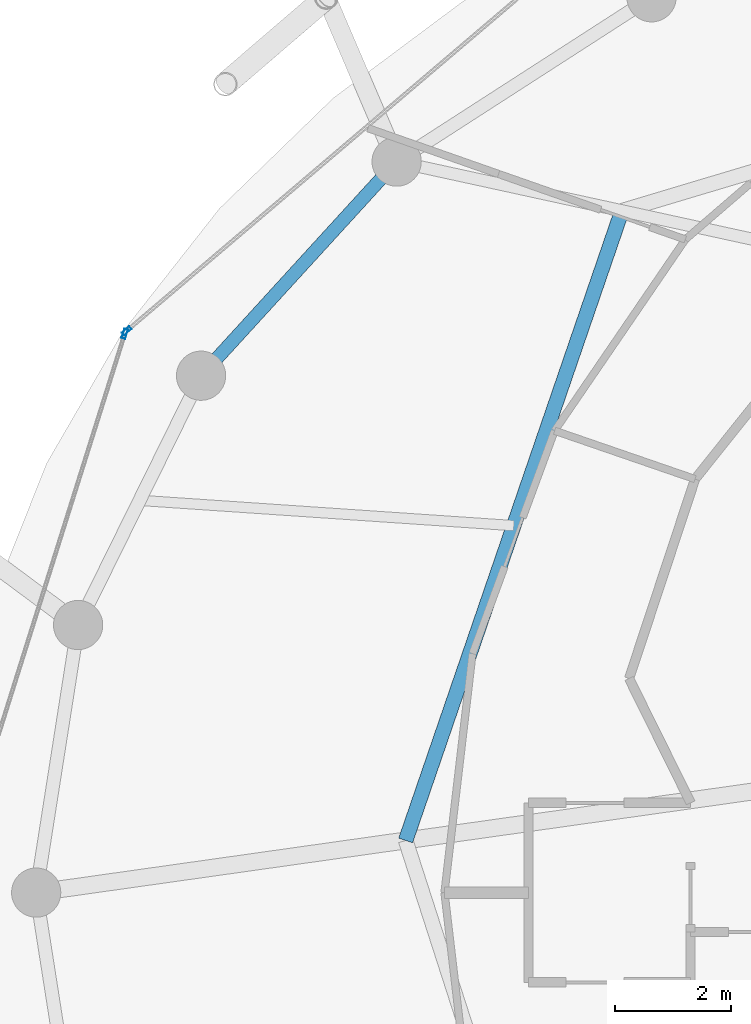
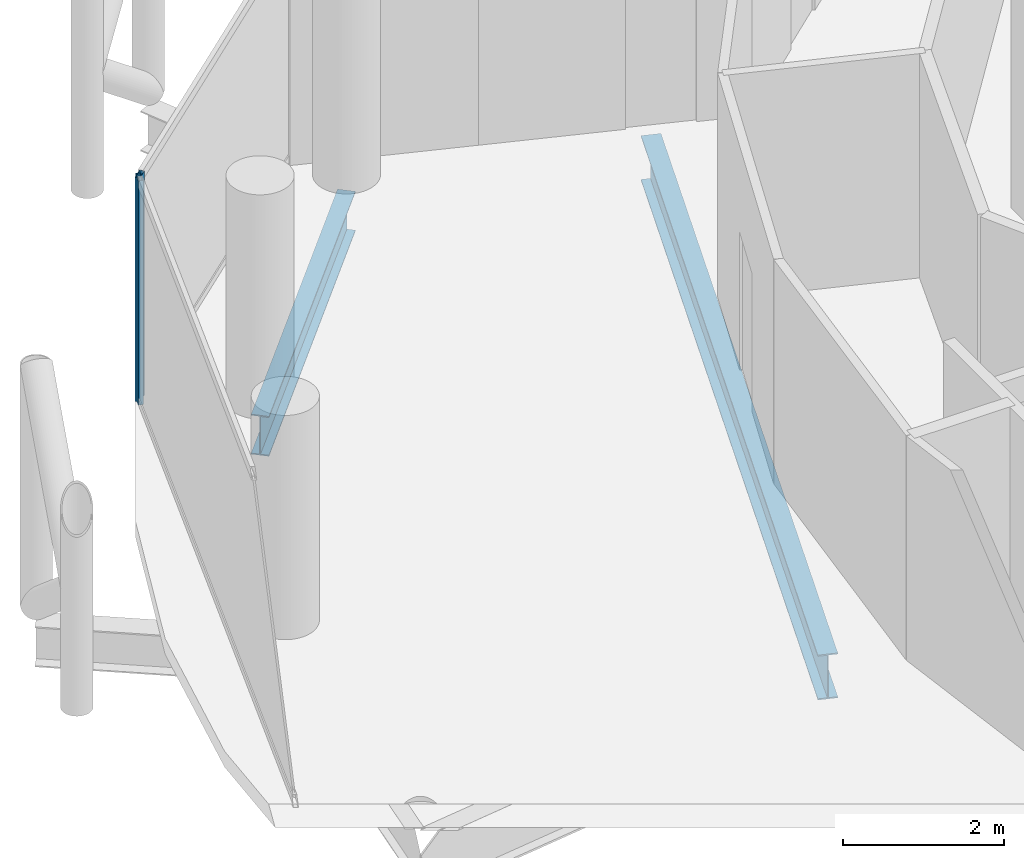
# One storey, part 9 of 27: 2 beams, 2 members, 2 elements without a shape of their own.
"""IFC4 building model written with IfcOpenShell, lengths in metres."""

from ifc_helpers import new_model, si_unit, direction, frame, origin, origin_2d, place, context, subcontext, project, spatial, hollow_rectangle, i_section, extrude, material, layer, layer_set, material_profile, profile_set, type_object, element, aggregate, save


model = new_model("IFC4")

# Units and contexts
model_context = context("Model", 3, precision=1e-05, world=origin(), true_north=direction((0.0, 1.0)))
body_context = subcontext(model_context, "Body", "Model", "MODEL_VIEW")
ifc_project = project(units=[si_unit("LENGTHUNIT", "METRE"), si_unit("AREAUNIT", "SQUARE_METRE"), si_unit("VOLUMEUNIT", "CUBIC_METRE"), si_unit("PLANEANGLEUNIT", "RADIAN"), si_unit("MASSUNIT", "GRAM", prefix="KILO")], contexts=[model_context])

# Site, building, storey
site_placement = place(None, origin())
site = spatial("IfcSite", under=ifc_project, at=site_placement, CompositionType="ELEMENT")
building_placement = place(site_placement, origin())
building = spatial("IfcBuilding", under=site, at=building_placement, Name="Nuhasar Tower", CompositionType="ELEMENT")
storey_placement = place(building_placement, frame((0.0, 0.0, 215.449951171875)))
storey = spatial("IfcBuildingStorey", under=building, at=storey_placement, Name="L52", CompositionType="ELEMENT", Elevation=215.449951171875)

# Beams
ifc_material_1 = material(Name="Steel S355", Category="steel")
ifc_material_profile_1 = material_profile(ifc_material_1, i_section(OverallWidth=0.25390625, OverallDepth=0.68408203125, WebThickness=0.012451171875, FlangeThickness=0.018798828125, at=origin_2d()), Name="W27X94")
ifc_profile_set_1 = profile_set([ifc_material_profile_1], Name="Steel S355")
beam_type_1 = type_object("IfcBeamType", Name="BM-INRING-W27X94", PredefinedType="BEAM", material=ifc_profile_set_1)
beam_1_placement = place(storey_placement, frame((27.864013671875, 38.572998046875, -0.58203125), z_axis=(-0.324809117642, -0.945779592239, 0.0), x_axis=(0.945779592239, -0.324809117642, 0.0)))
element("IfcBeam", 1, at=beam_1_placement, inside=storey, type_object=beam_type_1, Name="L52 Inner Header Beam 07", PredefinedType="BEAM", context=body_context, shape_type="SweptSolid", body=[
    extrude(i_section(OverallWidth=0.25390625, OverallDepth=0.68408203125, WebThickness=0.012451171875, FlangeThickness=0.018798828125, at=origin_2d()), origin(), (0.0, 0.0, 1.0), 11.496337890625),
])
ifc_material_profile_2 = material_profile(ifc_material_1, i_section(OverallWidth=0.22802734375, OverallDepth=0.60791015625, WebThickness=0.01123046875, FlangeThickness=0.017333984375, at=origin_2d()), Name="W24X76")
ifc_profile_set_2 = profile_set([ifc_material_profile_2], Name="Steel S355")
beam_type_2 = type_object("IfcBeamType", Name="BM-RING-W24X76", PredefinedType="SPANDREL", material=ifc_profile_set_2)
beam_2_placement = place(storey_placement, frame((23.97412109375, 39.422119140625, -0.5439453125), z_axis=(-0.674449692975, -0.738320805373, 0.0), x_axis=(0.738320805373, -0.674449692975, 0.0)))
element("IfcBeam", 2, at=beam_2_placement, inside=storey, type_object=beam_type_2, Name="L52 Perimeter Ring Spandrel 10", PredefinedType="SPANDREL", context=body_context, shape_type="SweptSolid", body=[
    extrude(i_section(OverallWidth=0.22802734375, OverallDepth=0.60791015625, WebThickness=0.01123046875, FlangeThickness=0.017333984375, at=origin_2d()), origin(), (0.0, 0.0, 1.0), 5.00732421875),
])

# Curtain wall, member
ifc_material_2 = material(Name="Aluminium 6063-T6", Category="aluminium")
ifc_layer = layer(ifc_material_2, 0.18994140625)
ifc_layer_set = layer_set([ifc_layer], Name="Aluminium 6063-T6")
curtain_wall_type = type_object("IfcCurtainWallType", Name="CW-Z3-RES", PredefinedType="NOTDEFINED", material=ifc_layer_set)
curtain_wall_1_placement = place(storey_placement, origin())
curtain_wall_1 = element("IfcCurtainWall", 3, at=curtain_wall_1_placement, inside=storey, type_object=curtain_wall_type, Name="L52 Unitised Curtain Wall 05", PredefinedType="NOTDEFINED")
ifc_material_profile_3 = material_profile(ifc_material_2, hollow_rectangle(XDim=0.06494140625, YDim=0.169921875, WallThickness=0.0048828125, at=origin_2d()), Name="CWM-4")
ifc_profile_set_3 = profile_set([ifc_material_profile_3], Name="Aluminium 6063-T6")
member_type = type_object("IfcMemberType", Name="CW-MUL-S4", PredefinedType="MULLION", material=ifc_profile_set_3)
member_1_placement = place(storey_placement, frame((19.313720703125, 36.5009765625, 0.0), z_axis=(0.0, 0.0, 1.0), x_axis=(0.64789521578, -0.761729472562, 0.0)))
member_1 = element("IfcMember", 4, at=member_1_placement, type_object=member_type, Name="CW-Z3 mullion 2", PredefinedType="MULLION", context=body_context, shape_type="SweptSolid", body=[
    extrude(hollow_rectangle(XDim=0.06494140625, YDim=0.169921875, WallThickness=0.0048828125, at=origin_2d()), origin(), (0.0, 0.0, 1.0), 3.41015625),
])
aggregate(curtain_wall_1, [member_1])

curtain_wall_2_placement = place(storey_placement, origin())
curtain_wall_2 = element("IfcCurtainWall", 5, at=curtain_wall_2_placement, inside=storey, type_object=curtain_wall_type, Name="L52 Unitised Curtain Wall 06", PredefinedType="NOTDEFINED")
member_2_placement = place(storey_placement, frame((19.279296875, 36.448974609375, 0.0), z_axis=(0.0, 0.0, 1.0), x_axis=(0.95380429279, -0.30042864553, 0.0)))
member_2 = element("IfcMember", 6, at=member_2_placement, type_object=member_type, Name="CW-Z3 mullion 1", PredefinedType="MULLION", context=body_context, shape_type="SweptSolid", body=[
    extrude(hollow_rectangle(XDim=0.06494140625, YDim=0.169921875, WallThickness=0.0048828125, at=origin_2d()), origin(), (0.0, 0.0, 1.0), 3.41015625),
])
aggregate(curtain_wall_2, [member_2])

save(model, "model.ifc")
